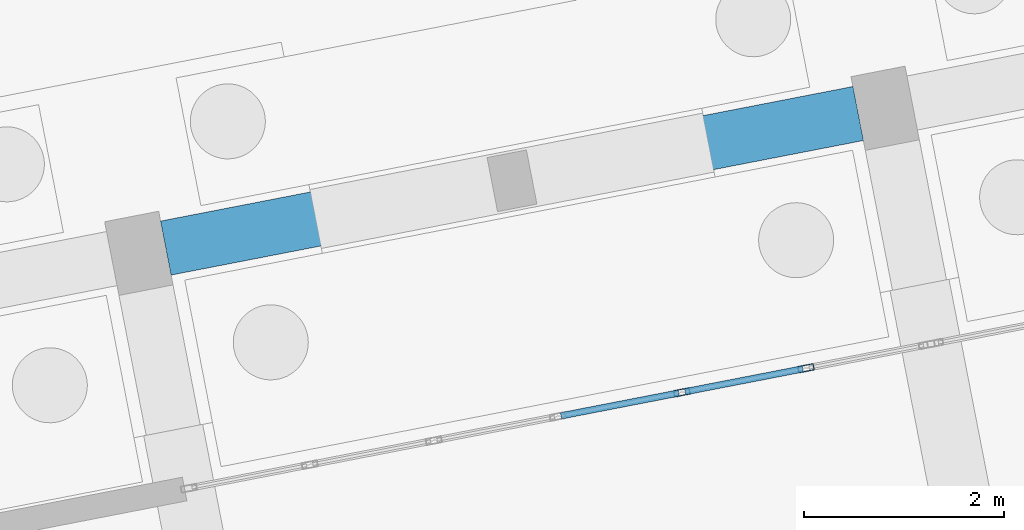
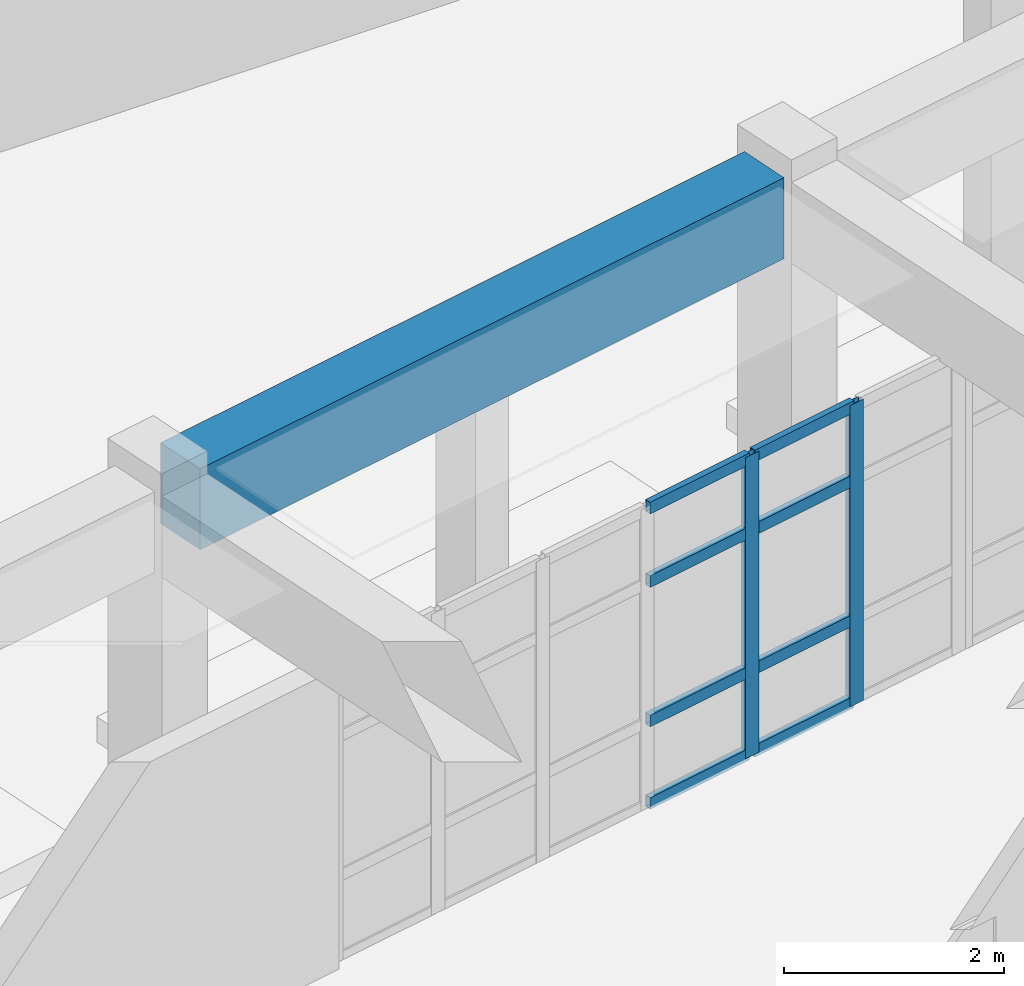
# One storey, part 58 of 154: 10 members, 1 beam, 1 element without a shape of its own.
"""IFC4 building model written with IfcOpenShell, lengths in metres."""

from ifc_helpers import new_model, si_unit, direction, frame, origin, origin_2d, place, context, subcontext, project, spatial, rectangle, hollow_rectangle, extrude, material, material_profile, profile_set, type_object, element, aggregate, save


model = new_model("IFC4")

# Units and contexts
model_context = context("Model", 3, precision=1e-05, world=origin(), true_north=direction((0.0, 1.0)))
body_context = subcontext(model_context, "Body", "Model", "MODEL_VIEW")
ifc_project = project(units=[si_unit("LENGTHUNIT", "METRE"), si_unit("AREAUNIT", "SQUARE_METRE"), si_unit("VOLUMEUNIT", "CUBIC_METRE"), si_unit("PLANEANGLEUNIT", "RADIAN"), si_unit("MASSUNIT", "GRAM", prefix="KILO")], contexts=[model_context])

# Site, building, storey
site_placement = place(None, origin())
site = spatial("IfcSite", under=ifc_project, at=site_placement, CompositionType="ELEMENT")
building_placement = place(site_placement, origin())
building = spatial("IfcBuilding", under=site, at=building_placement, Name="Kestramere Prow Commons", CompositionType="ELEMENT")
storey_placement = place(building_placement, origin())
storey = spatial("IfcBuildingStorey", under=building, at=storey_placement, Name="L00", CompositionType="ELEMENT", Elevation=0.0)

# Curtain wall, members
ifc_material_1 = material(Name="Anodised Aluminium and Low-E Glass", Category="aluminium")
curtain_wall_type = type_object("IfcCurtainWallType", Name="CW-07 Glazed Curtain Wall 7580x3350", PredefinedType="USERDEFINED", material=ifc_material_1)
curtain_wall_placement = place(storey_placement, origin())
curtain_wall = element("IfcCurtainWall", 1, at=curtain_wall_placement, inside=storey, type_object=curtain_wall_type, Name="Block D L00 North Courtyard Storefront 2", ObjectType="GLAZED CURTAIN WALL", PredefinedType="USERDEFINED")
ifc_material_2 = material(Name="Anodised Aluminium 6063-T6", Category="aluminium")
ifc_material_profile_1 = material_profile(ifc_material_2, hollow_rectangle(XDim=0.06494140625, YDim=0.159912109375, WallThickness=0.00390625, at=origin_2d()), Name="ALU-MUL 65x160")
ifc_profile_set_1 = profile_set([ifc_material_profile_1], Name="Anodised Aluminium 6063-T6")
member_type_1 = type_object("IfcMemberType", Name="CW-MUL-65x160", PredefinedType="MULLION", material=ifc_profile_set_1)
member_1_placement = place(storey_placement, frame((127.548828125, 53.30029296875, 0.0), z_axis=(0.0, 0.0, 1.0), x_axis=(-0.190808973121, 0.981627187774, 0.0)))
member_1 = element("IfcMember", 2, at=member_1_placement, type_object=member_type_1, Name="CW-07 mullion 5", PredefinedType="MULLION", context=body_context, shape_type="SweptSolid", body=[
    extrude(hollow_rectangle(XDim=0.06494140625, YDim=0.159912109375, WallThickness=0.00390625, at=origin_2d()), origin(), (0.0, 0.0, 1.0), 3.35009765625),
])
member_2_placement = place(storey_placement, frame((128.788818359375, 53.541259765625, 0.0), z_axis=(0.0, 0.0, 1.0), x_axis=(-0.190808973121, 0.981627187774, 0.0)))
member_2 = element("IfcMember", 3, at=member_2_placement, type_object=member_type_1, Name="CW-07 mullion 6", PredefinedType="MULLION", context=body_context, shape_type="SweptSolid", body=[
    extrude(hollow_rectangle(XDim=0.06494140625, YDim=0.159912109375, WallThickness=0.00390625, at=origin_2d()), origin(), (0.0, 0.0, 1.0), 3.35009765625),
])
ifc_material_profile_2 = material_profile(ifc_material_2, hollow_rectangle(XDim=0.06494140625, YDim=0.1298828125, WallThickness=0.00390625, at=origin_2d()), Name="ALU-TRN 65x130")
ifc_profile_set_2 = profile_set([ifc_material_profile_2], Name="Anodised Aluminium 6063-T6")
member_type_2 = type_object("IfcMemberType", Name="CW-TRN-65x130", PredefinedType="USERDEFINED", material=ifc_profile_set_2)
member_3_placement = place(storey_placement, frame((126.340576171875, 53.0654296875, 0.032470703125), z_axis=(0.981647187644, 0.190706053889, 0.0), x_axis=(-0.190706053889, 0.981647187644, 0.0)))
member_3 = element("IfcMember", 4, at=member_3_placement, type_object=member_type_2, Name="CW-07 transom 4.1", ObjectType="TRANSOM", PredefinedType="USERDEFINED", context=body_context, shape_type="SweptSolid", body=[
    extrude(hollow_rectangle(XDim=0.06494140625, YDim=0.1298828125, WallThickness=0.00390625, at=origin_2d()), origin(), (0.0, 0.0, 1.0), 1.1982421875),
])
member_4_placement = place(storey_placement, frame((126.340576171875, 53.0654296875, 0.949951171875), z_axis=(0.981647187644, 0.190706053889, 0.0), x_axis=(-0.190706053889, 0.981647187644, 0.0)))
member_4 = element("IfcMember", 5, at=member_4_placement, type_object=member_type_2, Name="CW-07 transom 4.2", ObjectType="TRANSOM", PredefinedType="USERDEFINED", context=body_context, shape_type="SweptSolid", body=[
    extrude(hollow_rectangle(XDim=0.06494140625, YDim=0.1298828125, WallThickness=0.00390625, at=origin_2d()), origin(), (0.0, 0.0, 1.0), 1.1982421875),
])
member_5_placement = place(storey_placement, frame((126.340576171875, 53.0654296875, 2.5), z_axis=(0.981647187644, 0.190706053889, 0.0), x_axis=(-0.190706053889, 0.981647187644, 0.0)))
member_5 = element("IfcMember", 6, at=member_5_placement, type_object=member_type_2, Name="CW-07 transom 4.3", ObjectType="TRANSOM", PredefinedType="USERDEFINED", context=body_context, shape_type="SweptSolid", body=[
    extrude(hollow_rectangle(XDim=0.06494140625, YDim=0.1298828125, WallThickness=0.00390625, at=origin_2d()), origin(), (0.0, 0.0, 1.0), 1.1982421875),
])
member_6_placement = place(storey_placement, frame((126.340576171875, 53.0654296875, 3.3173828125), z_axis=(0.981647187644, 0.190706053889, 0.0), x_axis=(-0.190706053889, 0.981647187644, 0.0)))
member_6 = element("IfcMember", 7, at=member_6_placement, type_object=member_type_2, Name="CW-07 transom 4.4", ObjectType="TRANSOM", PredefinedType="USERDEFINED", context=body_context, shape_type="SweptSolid", body=[
    extrude(hollow_rectangle(XDim=0.06494140625, YDim=0.1298828125, WallThickness=0.00390625, at=origin_2d()), origin(), (0.0, 0.0, 1.0), 1.1982421875),
])
member_7_placement = place(storey_placement, frame((127.58056640625, 53.306396484375, 0.032470703125), z_axis=(0.981616449787, 0.190864206983, 0.0), x_axis=(-0.190864206983, 0.981616449787, 0.0)))
member_7 = element("IfcMember", 8, at=member_7_placement, type_object=member_type_2, Name="CW-07 transom 5.1", ObjectType="TRANSOM", PredefinedType="USERDEFINED", context=body_context, shape_type="SweptSolid", body=[
    extrude(hollow_rectangle(XDim=0.06494140625, YDim=0.1298828125, WallThickness=0.00390625, at=origin_2d()), origin(), (0.0, 0.0, 1.0), 1.198486328125),
])
member_8_placement = place(storey_placement, frame((127.58056640625, 53.306396484375, 0.949951171875), z_axis=(0.981616449787, 0.190864206983, 0.0), x_axis=(-0.190864206983, 0.981616449787, 0.0)))
member_8 = element("IfcMember", 9, at=member_8_placement, type_object=member_type_2, Name="CW-07 transom 5.2", ObjectType="TRANSOM", PredefinedType="USERDEFINED", context=body_context, shape_type="SweptSolid", body=[
    extrude(hollow_rectangle(XDim=0.06494140625, YDim=0.1298828125, WallThickness=0.00390625, at=origin_2d()), origin(), (0.0, 0.0, 1.0), 1.198486328125),
])
member_9_placement = place(storey_placement, frame((127.58056640625, 53.306396484375, 2.5), z_axis=(0.981616449787, 0.190864206983, 0.0), x_axis=(-0.190864206983, 0.981616449787, 0.0)))
member_9 = element("IfcMember", 10, at=member_9_placement, type_object=member_type_2, Name="CW-07 transom 5.3", ObjectType="TRANSOM", PredefinedType="USERDEFINED", context=body_context, shape_type="SweptSolid", body=[
    extrude(hollow_rectangle(XDim=0.06494140625, YDim=0.1298828125, WallThickness=0.00390625, at=origin_2d()), origin(), (0.0, 0.0, 1.0), 1.198486328125),
])
member_10_placement = place(storey_placement, frame((127.58056640625, 53.306396484375, 3.3173828125), z_axis=(0.981616449787, 0.190864206983, 0.0), x_axis=(-0.190864206983, 0.981616449787, 0.0)))
member_10 = element("IfcMember", 11, at=member_10_placement, type_object=member_type_2, Name="CW-07 transom 5.4", ObjectType="TRANSOM", PredefinedType="USERDEFINED", context=body_context, shape_type="SweptSolid", body=[
    extrude(hollow_rectangle(XDim=0.06494140625, YDim=0.1298828125, WallThickness=0.00390625, at=origin_2d()), origin(), (0.0, 0.0, 1.0), 1.198486328125),
])
aggregate(curtain_wall, [member_1, member_2, member_3, member_4, member_5, member_6, member_7, member_8, member_9, member_10])

# Beam
ifc_material_3 = material(Name="Precast concrete C40/50", Category="concrete")
ifc_material_profile_3 = material_profile(ifc_material_3, rectangle(XDim=0.550048828125, YDim=0.89990234375, at=origin_2d()), Name="PC-TG 550x900")
ifc_profile_set_3 = profile_set([ifc_material_profile_3], Name="Precast concrete C40/50")
beam_type = type_object("IfcBeamType", Name="TG-01 PC-TG 550x900 (EX)", PredefinedType="BEAM", material=ifc_profile_set_3)
beam_placement = place(storey_placement, frame((122.390380859375, 54.742431640625, 3.800048828125), z_axis=(0.981627823124, 0.190805704498, 0.0), x_axis=(-0.190805704498, 0.981627823124, 0.0)))
element("IfcBeam", 12, at=beam_placement, inside=storey, type_object=beam_type, Name="Block D L00 Longitudinal Beam 4-2", PredefinedType="BEAM", context=body_context, shape_type="SweptSolid", body=[
    extrude(rectangle(XDim=0.550048828125, YDim=0.89990234375, at=origin_2d()), origin(), (0.0, 0.0, 1.0), 7.05029296875),
])

save(model, "model.ifc")
